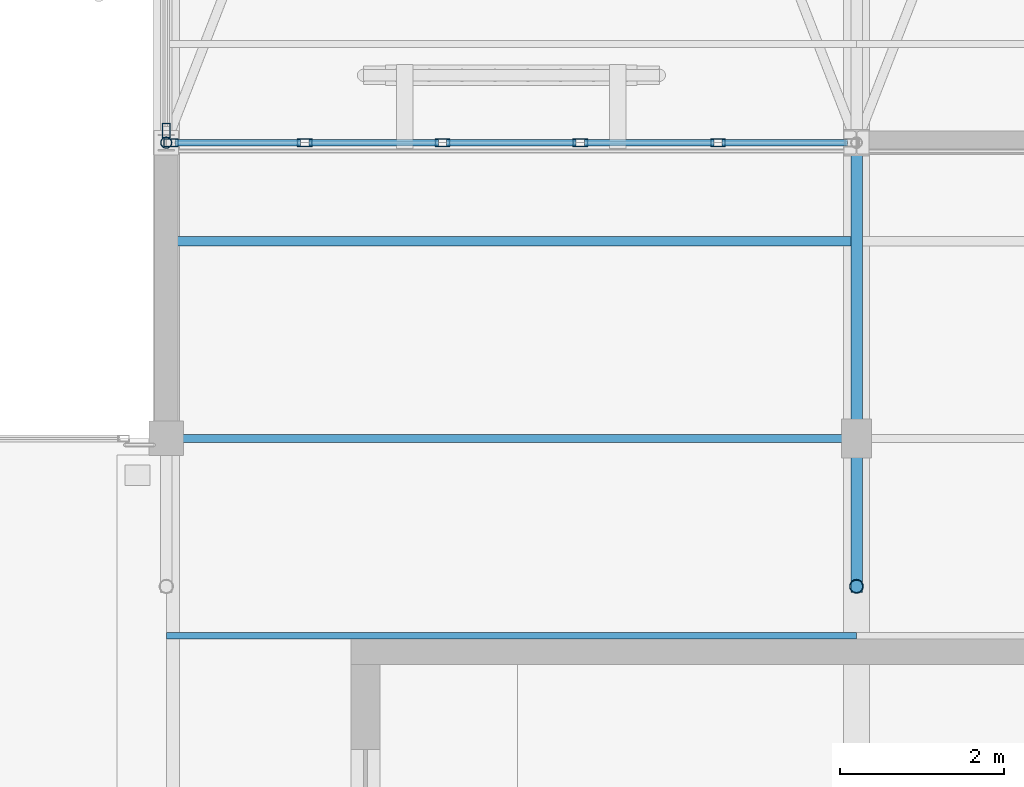
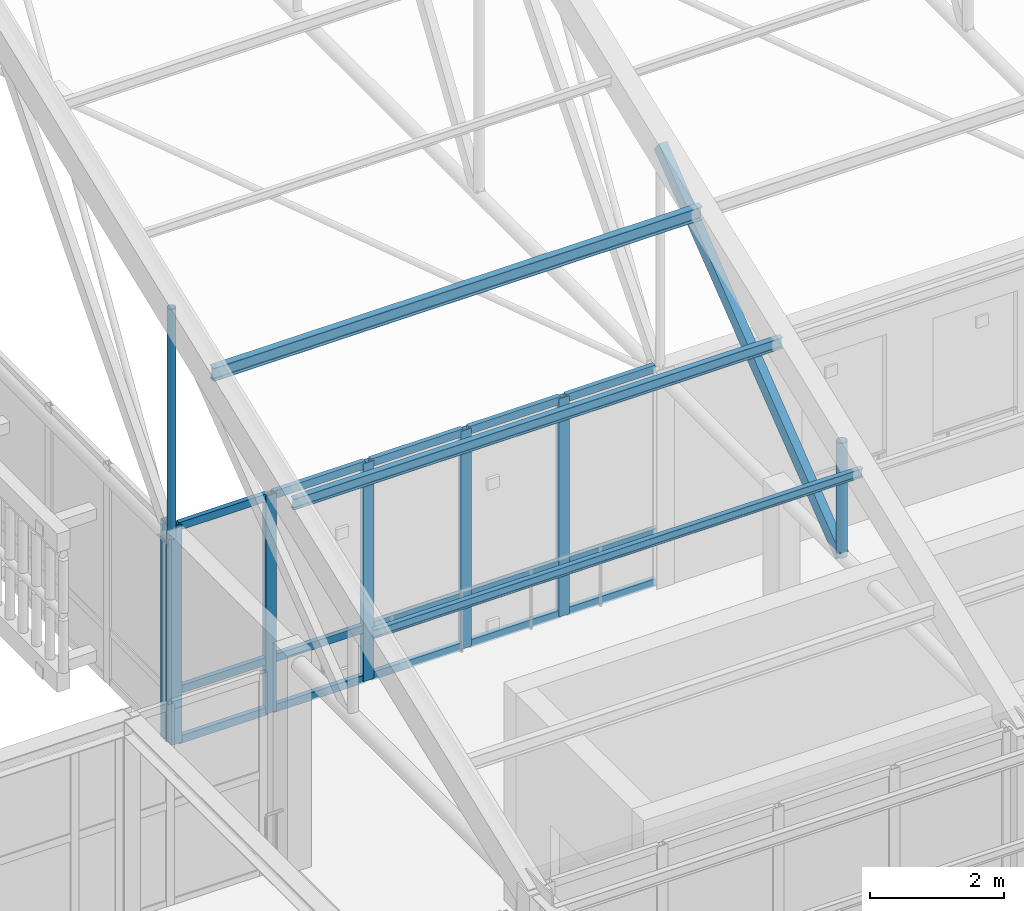
# One storey, part 69 of 217: 27 members, 2 elements without a shape of their own.
"""IFC4 building model written with IfcOpenShell, lengths in metres."""

from ifc_helpers import new_model, si_unit, direction, frame, origin, origin_2d, place, context, subcontext, project, spatial, hollow_rectangle, hollow_circle, i_section, extrude, material, layer, layer_set, material_profile, profile_set, type_object, element, aggregate, save


model = new_model("IFC4")

# Units and contexts
model_context = context("Model", 3, precision=1e-05, world=origin(), true_north=direction((0.0, 1.0)))
body_context = subcontext(model_context, "Body", "Model", "MODEL_VIEW")
ifc_project = project(units=[si_unit("LENGTHUNIT", "METRE"), si_unit("AREAUNIT", "SQUARE_METRE"), si_unit("VOLUMEUNIT", "CUBIC_METRE"), si_unit("PLANEANGLEUNIT", "RADIAN"), si_unit("MASSUNIT", "GRAM", prefix="KILO")], contexts=[model_context])

# Site, building, storey
site_placement = place(None, origin())
site = spatial("IfcSite", under=ifc_project, at=site_placement, CompositionType="ELEMENT")
building_placement = place(site_placement, origin())
building = spatial("IfcBuilding", under=site, at=building_placement, Name="Mazaris Harbour Polytechnic", CompositionType="ELEMENT")
storey_placement = place(building_placement, frame((0.0, 0.0, 9.60009765625)))
storey = spatial("IfcBuildingStorey", under=building, at=storey_placement, Name="L02", CompositionType="ELEMENT", Elevation=9.60009765625)

# Curtain wall, members
ifc_material_1 = material(Name="Anodised Bronze Aluminium and Low-E Glass", Category="aluminium")
ifc_layer = layer(ifc_material_1, 0.14990234375, Name="Anodised Bronze Aluminium and Low-E Glass")
ifc_layer_set = layer_set([ifc_layer], Name="Anodised Bronze Aluminium and Low-E Glass")
curtain_wall_type = type_object("IfcCurtainWallType", Name="Workshop Clerestory Curtain Wall", PredefinedType="NOTDEFINED", material=ifc_layer_set)
curtain_wall_1_placement = place(storey_placement, origin())
curtain_wall_1 = element("IfcCurtainWall", 1, at=curtain_wall_1_placement, inside=storey, type_object=curtain_wall_type, Name="V1 L02 Curtain Wall 29", PredefinedType="NOTDEFINED")
ifc_material_2 = material(Name="Anodised Bronze Steel S355", Category="steel")
ifc_material_profile_1 = material_profile(ifc_material_2, hollow_rectangle(XDim=0.10009765625, YDim=0.179931640625, WallThickness=0.008056640625, at=origin_2d()), Name="RHS 100x180x8.0")
ifc_profile_set_1 = profile_set([ifc_material_profile_1], Name="Anodised Bronze Steel S355")
member_type_1 = type_object("IfcMemberType", Name="Curtain Mullion RHS100x180", PredefinedType="MULLION", material=ifc_profile_set_1)
member_1_placement = place(storey_placement, frame((54.05810546875, 86.39990234375, 0.0), z_axis=(0.0, 0.0, 1.0), x_axis=(0.0, 1.0, 0.0)))
member_1 = element("IfcMember", 2, at=member_1_placement, type_object=member_type_1, Name="CW-04 mullion 1", PredefinedType="MULLION", context=body_context, shape_type="SweptSolid", body=[
    extrude(hollow_rectangle(XDim=0.10009765625, YDim=0.179931640625, WallThickness=0.008056640625, at=origin_2d()), origin(), (0.0, 0.0, 1.0), 3.9599609375),
])
member_2_placement = place(storey_placement, frame((55.684814453125, 86.39990234375, 0.0), z_axis=(0.0, 0.0, 1.0), x_axis=(0.0, 1.0, 0.0)))
member_2 = element("IfcMember", 3, at=member_2_placement, type_object=member_type_1, Name="CW-04 mullion 2", PredefinedType="MULLION", context=body_context, shape_type="SweptSolid", body=[
    extrude(hollow_rectangle(XDim=0.10009765625, YDim=0.179931640625, WallThickness=0.008056640625, at=origin_2d()), origin(), (0.0, 0.0, 1.0), 3.9599609375),
])
member_3_placement = place(storey_placement, frame((57.361572265625, 86.39990234375, 0.0), z_axis=(0.0, 0.0, 1.0), x_axis=(0.0, 1.0, 0.0)))
member_3 = element("IfcMember", 4, at=member_3_placement, type_object=member_type_1, Name="CW-04 mullion 3", PredefinedType="MULLION", context=body_context, shape_type="SweptSolid", body=[
    extrude(hollow_rectangle(XDim=0.10009765625, YDim=0.179931640625, WallThickness=0.008056640625, at=origin_2d()), origin(), (0.0, 0.0, 1.0), 3.9599609375),
])
member_4_placement = place(storey_placement, frame((59.038330078125, 86.39990234375, 0.0), z_axis=(0.0, 0.0, 1.0), x_axis=(0.0, 1.0, 0.0)))
member_4 = element("IfcMember", 5, at=member_4_placement, type_object=member_type_1, Name="CW-04 mullion 4", PredefinedType="MULLION", context=body_context, shape_type="SweptSolid", body=[
    extrude(hollow_rectangle(XDim=0.10009765625, YDim=0.179931640625, WallThickness=0.008056640625, at=origin_2d()), origin(), (0.0, 0.0, 1.0), 3.9599609375),
])
member_5_placement = place(storey_placement, frame((60.715087890625, 86.39990234375, 0.0), z_axis=(0.0, 0.0, 1.0), x_axis=(0.0, 1.0, 0.0)))
member_5 = element("IfcMember", 6, at=member_5_placement, type_object=member_type_1, Name="CW-04 mullion 5", PredefinedType="MULLION", context=body_context, shape_type="SweptSolid", body=[
    extrude(hollow_rectangle(XDim=0.10009765625, YDim=0.179931640625, WallThickness=0.008056640625, at=origin_2d()), origin(), (0.0, 0.0, 1.0), 3.9599609375),
])

# Curtain wall, member
curtain_wall_2_placement = place(storey_placement, origin())
curtain_wall_2 = element("IfcCurtainWall", 7, at=curtain_wall_2_placement, inside=storey, type_object=curtain_wall_type, Name="V1 L02 Curtain Wall 33", PredefinedType="NOTDEFINED")
member_6_placement = place(storey_placement, frame((54.0, 86.547119140625, 0.0), z_axis=(0.0, 0.0, 1.0), x_axis=(-1.0, 0.0, 0.0)))
member_6 = element("IfcMember", 8, at=member_6_placement, type_object=member_type_1, Name="CW-04 mullion 1", PredefinedType="MULLION", context=body_context, shape_type="SweptSolid", body=[
    extrude(hollow_rectangle(XDim=0.10009765625, YDim=0.179931640625, WallThickness=0.008056640625, at=origin_2d()), origin(), (0.0, 0.0, 1.0), 3.9599609375),
])
aggregate(curtain_wall_2, [member_6])

# Member
ifc_material_3 = material(Name="Anodised Bronze Steel S355", Category="steel")
ifc_material_profile_2 = material_profile(ifc_material_3, hollow_rectangle(XDim=0.080078125, YDim=0.139892578125, WallThickness=0.00634765625, at=origin_2d()), Name="RHS 80x140x6.3")
ifc_profile_set_2 = profile_set([ifc_material_profile_2], Name="Anodised Bronze Steel S355")
member_type_2 = type_object("IfcMemberType", Name="Curtain Transom RHS80x140", PredefinedType="USERDEFINED", material=ifc_profile_set_2)
member_7_placement = place(storey_placement, frame((54.10791015625, 86.39990234375, 0.039794921875), z_axis=(1.0, 0.0, 0.0), x_axis=(0.0, 1.0, 0.0)))
member_7 = element("IfcMember", 9, at=member_7_placement, type_object=member_type_2, Name="CW-04 transom 1.1", ObjectType="TRANSOM", PredefinedType="USERDEFINED", context=body_context, shape_type="SweptSolid", body=[
    extrude(hollow_rectangle(XDim=0.080078125, YDim=0.139892578125, WallThickness=0.00634765625, at=origin_2d()), origin(), (0.0, 0.0, 1.0), 1.52685546875),
])

member_8_placement = place(storey_placement, frame((54.10791015625, 86.39990234375, 0.949951171875), z_axis=(1.0, 0.0, 0.0), x_axis=(0.0, 1.0, 0.0)))
member_8 = element("IfcMember", 10, at=member_8_placement, type_object=member_type_2, Name="CW-04 transom 1.2", ObjectType="TRANSOM", PredefinedType="USERDEFINED", context=body_context, shape_type="SweptSolid", body=[
    extrude(hollow_rectangle(XDim=0.080078125, YDim=0.139892578125, WallThickness=0.00634765625, at=origin_2d()), origin(), (0.0, 0.0, 1.0), 1.52685546875),
])

member_9_placement = place(storey_placement, frame((54.10791015625, 86.39990234375, 3.919921875), z_axis=(1.0, 0.0, 0.0), x_axis=(0.0, 1.0, 0.0)))
member_9 = element("IfcMember", 11, at=member_9_placement, type_object=member_type_2, Name="CW-04 transom 1.3", ObjectType="TRANSOM", PredefinedType="USERDEFINED", context=body_context, shape_type="SweptSolid", body=[
    extrude(hollow_rectangle(XDim=0.080078125, YDim=0.139892578125, WallThickness=0.00634765625, at=origin_2d()), origin(), (0.0, 0.0, 1.0), 1.52685546875),
])

member_10_placement = place(storey_placement, frame((55.73486328125, 86.39990234375, 0.039794921875), z_axis=(1.0, 0.0, 0.0), x_axis=(0.0, 1.0, 0.0)))
member_10 = element("IfcMember", 12, at=member_10_placement, type_object=member_type_2, Name="CW-04 transom 2.1", ObjectType="TRANSOM", PredefinedType="USERDEFINED", context=body_context, shape_type="SweptSolid", body=[
    extrude(hollow_rectangle(XDim=0.080078125, YDim=0.139892578125, WallThickness=0.00634765625, at=origin_2d()), origin(), (0.0, 0.0, 1.0), 1.57666015625),
])

member_11_placement = place(storey_placement, frame((55.73486328125, 86.39990234375, 0.949951171875), z_axis=(1.0, 0.0, 0.0), x_axis=(0.0, 1.0, 0.0)))
member_11 = element("IfcMember", 13, at=member_11_placement, type_object=member_type_2, Name="CW-04 transom 2.2", ObjectType="TRANSOM", PredefinedType="USERDEFINED", context=body_context, shape_type="SweptSolid", body=[
    extrude(hollow_rectangle(XDim=0.080078125, YDim=0.139892578125, WallThickness=0.00634765625, at=origin_2d()), origin(), (0.0, 0.0, 1.0), 1.57666015625),
])

member_12_placement = place(storey_placement, frame((55.73486328125, 86.39990234375, 3.919921875), z_axis=(1.0, 0.0, 0.0), x_axis=(0.0, 1.0, 0.0)))
member_12 = element("IfcMember", 14, at=member_12_placement, type_object=member_type_2, Name="CW-04 transom 2.3", ObjectType="TRANSOM", PredefinedType="USERDEFINED", context=body_context, shape_type="SweptSolid", body=[
    extrude(hollow_rectangle(XDim=0.080078125, YDim=0.139892578125, WallThickness=0.00634765625, at=origin_2d()), origin(), (0.0, 0.0, 1.0), 1.57666015625),
])

member_13_placement = place(storey_placement, frame((57.41162109375, 86.39990234375, 0.039794921875), z_axis=(1.0, 0.0, 0.0), x_axis=(0.0, 1.0, 0.0)))
member_13 = element("IfcMember", 15, at=member_13_placement, type_object=member_type_2, Name="CW-04 transom 3.1", ObjectType="TRANSOM", PredefinedType="USERDEFINED", context=body_context, shape_type="SweptSolid", body=[
    extrude(hollow_rectangle(XDim=0.080078125, YDim=0.139892578125, WallThickness=0.00634765625, at=origin_2d()), origin(), (0.0, 0.0, 1.0), 1.57666015625),
])

member_14_placement = place(storey_placement, frame((57.41162109375, 86.39990234375, 0.949951171875), z_axis=(1.0, 0.0, 0.0), x_axis=(0.0, 1.0, 0.0)))
member_14 = element("IfcMember", 16, at=member_14_placement, type_object=member_type_2, Name="CW-04 transom 3.2", ObjectType="TRANSOM", PredefinedType="USERDEFINED", context=body_context, shape_type="SweptSolid", body=[
    extrude(hollow_rectangle(XDim=0.080078125, YDim=0.139892578125, WallThickness=0.00634765625, at=origin_2d()), origin(), (0.0, 0.0, 1.0), 1.57666015625),
])

member_15_placement = place(storey_placement, frame((57.41162109375, 86.39990234375, 3.919921875), z_axis=(1.0, 0.0, 0.0), x_axis=(0.0, 1.0, 0.0)))
member_15 = element("IfcMember", 17, at=member_15_placement, type_object=member_type_2, Name="CW-04 transom 3.3", ObjectType="TRANSOM", PredefinedType="USERDEFINED", context=body_context, shape_type="SweptSolid", body=[
    extrude(hollow_rectangle(XDim=0.080078125, YDim=0.139892578125, WallThickness=0.00634765625, at=origin_2d()), origin(), (0.0, 0.0, 1.0), 1.57666015625),
])

member_16_placement = place(storey_placement, frame((59.08837890625, 86.39990234375, 0.039794921875), z_axis=(1.0, 0.0, 0.0), x_axis=(0.0, 1.0, 0.0)))
member_16 = element("IfcMember", 18, at=member_16_placement, type_object=member_type_2, Name="CW-04 transom 4.1", ObjectType="TRANSOM", PredefinedType="USERDEFINED", context=body_context, shape_type="SweptSolid", body=[
    extrude(hollow_rectangle(XDim=0.080078125, YDim=0.139892578125, WallThickness=0.00634765625, at=origin_2d()), origin(), (0.0, 0.0, 1.0), 1.576904296875),
])

member_17_placement = place(storey_placement, frame((59.08837890625, 86.39990234375, 0.949951171875), z_axis=(1.0, 0.0, 0.0), x_axis=(0.0, 1.0, 0.0)))
member_17 = element("IfcMember", 19, at=member_17_placement, type_object=member_type_2, Name="CW-04 transom 4.2", ObjectType="TRANSOM", PredefinedType="USERDEFINED", context=body_context, shape_type="SweptSolid", body=[
    extrude(hollow_rectangle(XDim=0.080078125, YDim=0.139892578125, WallThickness=0.00634765625, at=origin_2d()), origin(), (0.0, 0.0, 1.0), 1.576904296875),
])

member_18_placement = place(storey_placement, frame((59.08837890625, 86.39990234375, 3.919921875), z_axis=(1.0, 0.0, 0.0), x_axis=(0.0, 1.0, 0.0)))
member_18 = element("IfcMember", 20, at=member_18_placement, type_object=member_type_2, Name="CW-04 transom 4.3", ObjectType="TRANSOM", PredefinedType="USERDEFINED", context=body_context, shape_type="SweptSolid", body=[
    extrude(hollow_rectangle(XDim=0.080078125, YDim=0.139892578125, WallThickness=0.00634765625, at=origin_2d()), origin(), (0.0, 0.0, 1.0), 1.576904296875),
])

member_19_placement = place(storey_placement, frame((60.76513671875, 86.39990234375, 0.039794921875), z_axis=(1.0, 0.0, 0.0), x_axis=(0.0, 1.0, 0.0)))
member_19 = element("IfcMember", 21, at=member_19_placement, type_object=member_type_2, Name="CW-04 transom 5.1", ObjectType="TRANSOM", PredefinedType="USERDEFINED", context=body_context, shape_type="SweptSolid", body=[
    extrude(hollow_rectangle(XDim=0.080078125, YDim=0.139892578125, WallThickness=0.00634765625, at=origin_2d()), origin(), (0.0, 0.0, 1.0), 1.52685546875),
])

member_20_placement = place(storey_placement, frame((60.76513671875, 86.39990234375, 0.949951171875), z_axis=(1.0, 0.0, 0.0), x_axis=(0.0, 1.0, 0.0)))
member_20 = element("IfcMember", 22, at=member_20_placement, type_object=member_type_2, Name="CW-04 transom 5.2", ObjectType="TRANSOM", PredefinedType="USERDEFINED", context=body_context, shape_type="SweptSolid", body=[
    extrude(hollow_rectangle(XDim=0.080078125, YDim=0.139892578125, WallThickness=0.00634765625, at=origin_2d()), origin(), (0.0, 0.0, 1.0), 1.52685546875),
])

member_21_placement = place(storey_placement, frame((60.76513671875, 86.39990234375, 3.919921875), z_axis=(1.0, 0.0, 0.0), x_axis=(0.0, 1.0, 0.0)))
member_21 = element("IfcMember", 23, at=member_21_placement, type_object=member_type_2, Name="CW-04 transom 5.3", ObjectType="TRANSOM", PredefinedType="USERDEFINED", context=body_context, shape_type="SweptSolid", body=[
    extrude(hollow_rectangle(XDim=0.080078125, YDim=0.139892578125, WallThickness=0.00634765625, at=origin_2d()), origin(), (0.0, 0.0, 1.0), 1.52685546875),
])

aggregate(curtain_wall_1, [member_1, member_2, member_3, member_4, member_5, member_7, member_8, member_9, member_10, member_11, member_12, member_13, member_14, member_15, member_16, member_17, member_18, member_19, member_20, member_21])

# Members
ifc_material_4 = material(Name="Steel S355", Category="steel")
ifc_material_profile_3 = material_profile(ifc_material_4, i_section(OverallWidth=0.08203125, OverallDepth=0.159912109375, WebThickness=0.0048828125, FlangeThickness=0.00732421875, FilletRadius=0.009033203125, at=origin_2d()), Name="IPE 160")
ifc_profile_set_3 = profile_set([ifc_material_profile_3], Name="Steel S355")
member_type_3 = type_object("IfcMemberType", Name="Steel Purlin IPE160", PredefinedType="PURLIN", material=ifc_profile_set_3)
member_22_placement = place(storey_placement, frame((54.0, 80.39990234375, 5.637939453125), z_axis=(1.0, 0.0, 0.0), x_axis=(0.0, 1.0, 0.0)))
element("IfcMember", 24, at=member_22_placement, inside=storey, type_object=member_type_3, Name="V1 Roof Purlin S-6", PredefinedType="PURLIN", context=body_context, shape_type="SweptSolid", body=[
    extrude(i_section(OverallWidth=0.08203125, OverallDepth=0.159912109375, WebThickness=0.0048828125, FlangeThickness=0.00732421875, FilletRadius=0.009033203125, at=origin_2d()), origin(), (0.0, 0.0, 1.0), 8.39990234375),
])
ifc_material_5 = material(Name="Steel S355", Category="steel")
ifc_material_profile_4 = material_profile(ifc_material_5, i_section(OverallWidth=0.10009765625, OverallDepth=0.199951171875, WebThickness=0.005615234375, FlangeThickness=0.008544921875, FilletRadius=0.011962890625, at=origin_2d()), Name="IPE 200")
ifc_profile_set_4 = profile_set([ifc_material_profile_4], Name="Steel S355")
member_type_4 = type_object("IfcMemberType", Name="Steel Purlin IPE200", PredefinedType="PURLIN", material=ifc_profile_set_4)
member_23_placement = place(storey_placement, frame((54.0, 82.800048828125, 6.544921875), z_axis=(1.0, 0.0, 0.0), x_axis=(0.0, 1.0, 0.0)))
element("IfcMember", 25, at=member_23_placement, inside=storey, type_object=member_type_4, Name="V1 Roof Purlin S-7", PredefinedType="PURLIN", context=body_context, shape_type="SweptSolid", body=[
    extrude(i_section(OverallWidth=0.10009765625, OverallDepth=0.199951171875, WebThickness=0.005615234375, FlangeThickness=0.008544921875, FilletRadius=0.011962890625, at=origin_2d()), origin(), (0.0, 0.0, 1.0), 8.39990234375),
])
ifc_material_6 = material(Name="Steel S355", Category="steel")
ifc_material_profile_5 = material_profile(ifc_material_6, i_section(OverallWidth=0.1201171875, OverallDepth=0.239990234375, WebThickness=0.006103515625, FlangeThickness=0.009765625, FilletRadius=0.014892578125, at=origin_2d()), Name="IPE 240")
ifc_profile_set_5 = profile_set([ifc_material_profile_5], Name="Steel S355")
member_type_5 = type_object("IfcMemberType", Name="Steel Purlin IPE240", PredefinedType="PURLIN", material=ifc_profile_set_5)
member_24_placement = place(storey_placement, frame((54.0, 85.199951171875, 7.451171875), z_axis=(1.0, 0.0, 0.0), x_axis=(0.0, 1.0, 0.0)))
element("IfcMember", 26, at=member_24_placement, inside=storey, type_object=member_type_5, Name="V1 Roof Purlin S-8", PredefinedType="PURLIN", context=body_context, shape_type="SweptSolid", body=[
    extrude(i_section(OverallWidth=0.1201171875, OverallDepth=0.239990234375, WebThickness=0.006103515625, FlangeThickness=0.009765625, FilletRadius=0.014892578125, at=origin_2d()), origin(), (0.0, 0.0, 1.0), 8.39990234375),
])
ifc_material_7 = material(Name="Steel S355", Category="steel")
ifc_material_profile_6 = material_profile(ifc_material_7, hollow_rectangle(XDim=0.139892578125, YDim=0.239990234375, WallThickness=0.010009765625, at=origin_2d()), Name="RHS 140x240x10.0")
ifc_profile_set_6 = profile_set([ifc_material_profile_6], Name="Steel S355")
member_type_6 = type_object("IfcMemberType", Name="Steel Truss Diagonal RHS140x240", PredefinedType="BRACE", material=ifc_profile_set_6)
member_25_placement = place(storey_placement, frame((62.39990234375, 81.0, 3.75), z_axis=(0.0, 0.791132369746, 0.611644973445), x_axis=(-1.0, 0.0, 0.0)))
element("IfcMember", 27, at=member_25_placement, inside=storey, type_object=member_type_6, Name="Truss 2 Web Diagonal S2", PredefinedType="BRACE", context=body_context, shape_type="SweptSolid", body=[
    extrude(hollow_rectangle(XDim=0.139892578125, YDim=0.239990234375, WallThickness=0.010009765625, at=origin_2d()), origin(), (0.0, 0.0, 1.0), 6.825439453125),
])
ifc_material_8 = material(Name="Steel S355", Category="steel")
ifc_material_profile_7 = material_profile(ifc_material_8, hollow_circle(Radius=0.06982421875, WallThickness=0.008056640625, at=origin_2d()), Name="CHS 139.7x8.0")
ifc_profile_set_7 = profile_set([ifc_material_profile_7], Name="Steel S355")
member_type_7 = type_object("IfcMemberType", Name="Steel Truss Strut CHS139", PredefinedType="STRUT", material=ifc_profile_set_7)
member_26_placement = place(storey_placement, frame((54.0, 86.39990234375, 3.75), z_axis=(0.0, 0.0, 1.0), x_axis=(1.0, 0.0, 0.0)))
element("IfcMember", 28, at=member_26_placement, inside=storey, type_object=member_type_7, Name="Truss 1 Web Post S2", PredefinedType="STRUT", context=body_context, shape_type="SweptSolid", body=[
    extrude(hollow_circle(Radius=0.06982421875, WallThickness=0.008056640625, at=origin_2d()), origin(), (0.0, 0.0, 1.0), 4.1748046875),
])
ifc_material_9 = material(Name="Steel S355", Category="steel")
ifc_material_profile_8 = material_profile(ifc_material_9, hollow_circle(Radius=0.084228515625, WallThickness=0.008056640625, at=origin_2d()), Name="CHS 168.3x8.0")
ifc_profile_set_8 = profile_set([ifc_material_profile_8], Name="Steel S355")
member_type_8 = type_object("IfcMemberType", Name="Steel Truss Strut CHS168", PredefinedType="STRUT", material=ifc_profile_set_8)
member_27_placement = place(storey_placement, frame((62.39990234375, 81.0, 3.75), z_axis=(0.0, 0.0, 1.0), x_axis=(1.0, 0.0, 0.0)))
element("IfcMember", 29, at=member_27_placement, inside=storey, type_object=member_type_8, Name="Truss 2 Web Post S1", PredefinedType="STRUT", context=body_context, shape_type="SweptSolid", body=[
    extrude(hollow_circle(Radius=0.084228515625, WallThickness=0.008056640625, at=origin_2d()), origin(), (0.0, 0.0, 1.0), 2.08740234375),
])

save(model, "model.ifc")
